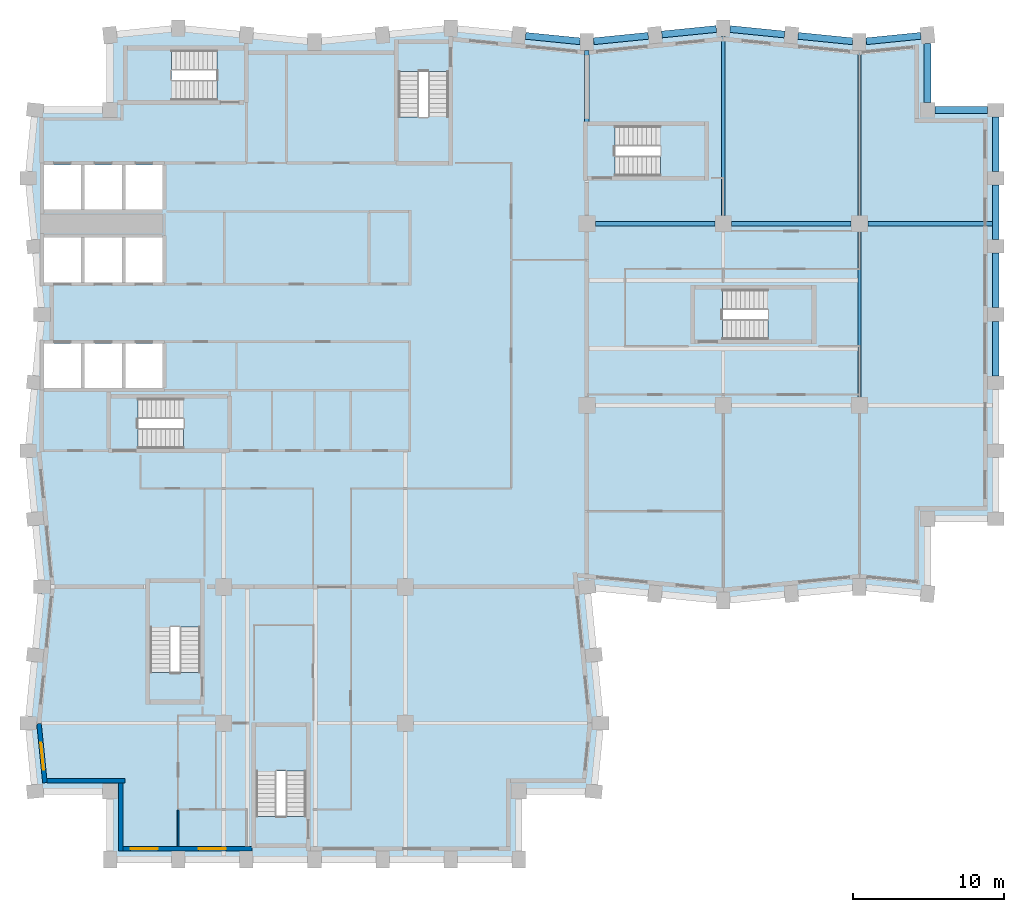
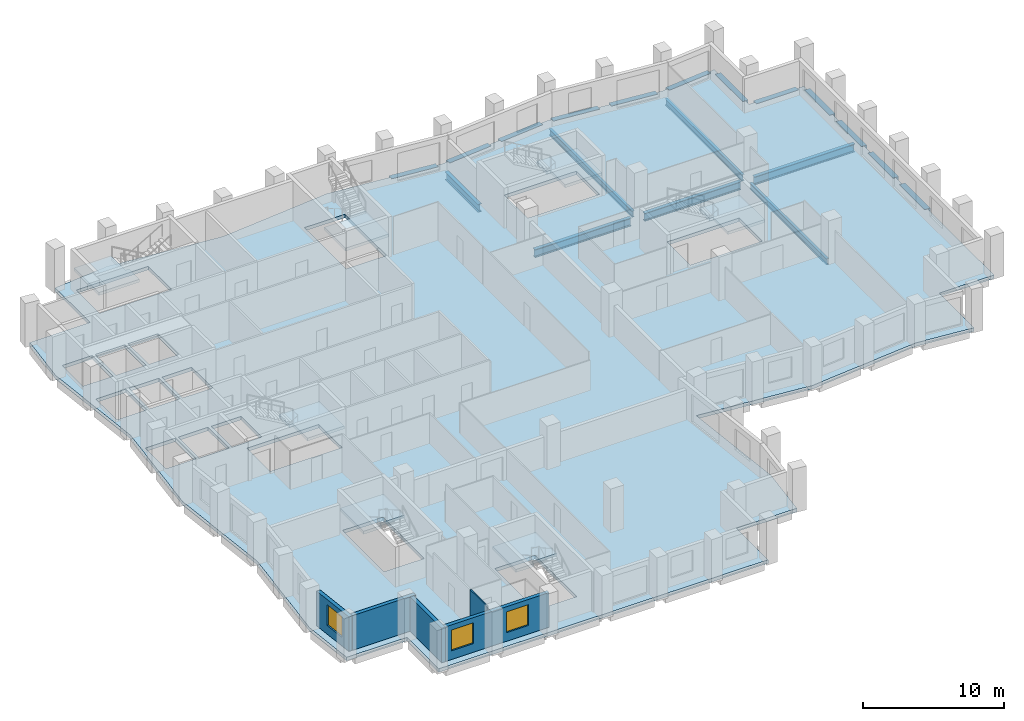
# One storey, part 2 of 10: 19 beams, 8 slabs, 5 walls, 3 windows, 3 openings, 7 elements without a shape of their own.
"""IFC4 building model written with IfcOpenShell, lengths in metres."""

from ifc_helpers import new_model, si_unit, direction, frame, frame_2d, origin, origin_2d, place, context, subcontext, project, spatial, polyline, rectangle, i_section, outline, extrude, material, layer, layer_set, material_profile, profile_set, type_object, element, fill, aggregate, save


model = new_model("IFC4")

# Units and contexts
model_context = context("Model", 3, precision=1e-05, world=origin(), true_north=direction((0.0, 1.0)))
body_context = subcontext(model_context, "Body", "Model", "MODEL_VIEW")
ifc_project = project(units=[si_unit("LENGTHUNIT", "METRE"), si_unit("AREAUNIT", "SQUARE_METRE"), si_unit("VOLUMEUNIT", "CUBIC_METRE"), si_unit("PLANEANGLEUNIT", "RADIAN"), si_unit("MASSUNIT", "GRAM", prefix="KILO")], contexts=[model_context])

# Site, building, storey
site_placement = place(None, origin())
site = spatial("IfcSite", under=ifc_project, at=site_placement, CompositionType="ELEMENT")
building_placement = place(site_placement, origin())
building = spatial("IfcBuilding", under=site, at=building_placement, Name="Brondeck Convention Tower", CompositionType="ELEMENT")
storey_placement = place(building_placement, frame((0.0, 0.0, 189.0)))
storey = spatial("IfcBuildingStorey", under=building, at=storey_placement, Name="L46", CompositionType="ELEMENT", Elevation=189.0)

# Beams
ifc_material_1 = material(Name="Steel S355", Category="steel")
ifc_material_profile_1 = material_profile(ifc_material_1, i_section(OverallWidth=0.2099609375, OverallDepth=0.550048828125, WebThickness=0.010986328125, FlangeThickness=0.01708984375, FilletRadius=0.02392578125, at=origin_2d()), Name="IPE 550")
ifc_profile_set_1 = profile_set([ifc_material_profile_1], Name="Steel S355")
beam_type_1 = type_object("IfcBeamType", Name="Floor beam IPE 550", PredefinedType="BEAM", material=ifc_profile_set_1)
beam_1_placement = place(storey_placement, frame((45.0, 51.550048828125, -0.574951171875), z_axis=(0.0, 1.0, 0.0), x_axis=(-1.0, 0.0, 0.0)))
element("IfcBeam", 1, at=beam_1_placement, inside=storey, type_object=beam_type_1, Name="STR-FB-L46-002", PredefinedType="BEAM", context=body_context, shape_type="SweptSolid", body=[
    extrude(i_section(OverallWidth=0.2099609375, OverallDepth=0.550048828125, WebThickness=0.010986328125, FlangeThickness=0.01708984375, FilletRadius=0.02392578125, at=origin_2d()), origin(), (0.0, 0.0, 1.0), 11.800048828125),
])
for number, where, z_axis, x_axis, name in (
    (2, (54.0, 39.550048828125, -0.574951171875), (0.0, 1.0, 0.0), (-1.0, 0.0, 0.0), "STR-FB-L46-004"),
    (3, (54.0, 51.550048828125, -0.574951171875), (0.0, 1.0, 0.0), (-1.0, 0.0, 0.0), "STR-FB-L46-005"),
):
    element("IfcBeam", number, at=place(storey_placement, frame(where, z_axis=z_axis, x_axis=x_axis)), inside=storey, type_object=beam_type_1, Name=name, PredefinedType="BEAM", context=body_context, shape_type="SweptSolid", body=[
        extrude(i_section(OverallWidth=0.2099609375, OverallDepth=0.550048828125, WebThickness=0.010986328125, FlangeThickness=0.01708984375, FilletRadius=0.02392578125, at=origin_2d()), origin(), (0.0, 0.0, 1.0), 10.89990234375),
    ])
ifc_material_profile_2 = material_profile(ifc_material_1, i_section(OverallWidth=0.300048828125, OverallDepth=0.699951171875, WebThickness=0.01708984375, FlangeThickness=0.031982421875, FilletRadius=0.027099609375, at=origin_2d()), Name="HEB 700")
ifc_profile_set_2 = profile_set([ifc_material_profile_2], Name="Steel S355")
beam_type_2 = type_object("IfcBeamType", Name="Girder HEB 700", PredefinedType="BEAM", material=ifc_profile_set_2)
for number, where, z_axis, x_axis, name in (
    (4, (36.550048828125, 51.0, -0.64990234375), (1.0, 0.0, 0.0), (0.0, 1.0, 0.0), "STR-GR-L46-004"),
    (5, (45.550048828125, 51.0, -0.64990234375), (1.0, 0.0, 0.0), (0.0, 1.0, 0.0), "STR-GR-L46-005"),
):
    element("IfcBeam", number, at=place(storey_placement, frame(where, z_axis=z_axis, x_axis=x_axis)), inside=storey, type_object=beam_type_2, Name=name, PredefinedType="BEAM", context=body_context, shape_type="SweptSolid", body=[
        extrude(i_section(OverallWidth=0.300048828125, OverallDepth=0.699951171875, WebThickness=0.01708984375, FlangeThickness=0.031982421875, FilletRadius=0.027099609375, at=origin_2d()), origin(), (0.0, 0.0, 1.0), 7.89990234375),
    ])
beam_2_placement = place(storey_placement, frame((54.550048828125, 51.0, -0.64990234375), z_axis=(1.0, 0.0, 0.0), x_axis=(0.0, 1.0, 0.0)))
element("IfcBeam", 6, at=beam_2_placement, inside=storey, type_object=beam_type_2, Name="STR-GR-L46-006", PredefinedType="BEAM", context=body_context, shape_type="SweptSolid", body=[
    extrude(i_section(OverallWidth=0.300048828125, OverallDepth=0.699951171875, WebThickness=0.01708984375, FlangeThickness=0.031982421875, FilletRadius=0.027099609375, at=origin_2d()), origin(), (0.0, 0.0, 1.0), 8.224853515625),
])
beam_3_placement = place(storey_placement, frame((36.0, 57.719970703125, -0.64990234375), z_axis=(0.0, 1.0, 0.0), x_axis=(-1.0, 0.0, 0.0)))
element("IfcBeam", 7, at=beam_3_placement, inside=storey, type_object=beam_type_2, Name="STR-GR-L46-010", PredefinedType="BEAM", context=body_context, shape_type="SweptSolid", body=[
    extrude(i_section(OverallWidth=0.300048828125, OverallDepth=0.699951171875, WebThickness=0.01708984375, FlangeThickness=0.031982421875, FilletRadius=0.027099609375, at=origin_2d()), origin(), (0.0, 0.0, 1.0), 4.72998046875),
])
ifc_material_2 = material(Name="Concrete C70/85", Category="concrete")
ifc_material_profile_3 = material_profile(ifc_material_2, rectangle(XDim=0.449951171875, YDim=0.64990234375, at=origin_2d()), Name="Precast spandrel 450x650 Concrete C70/85")
ifc_profile_set_3 = profile_set([ifc_material_profile_3], Name="Concrete C70/85")
beam_type_3 = type_object("IfcBeamType", Name="Precast spandrel 450x650 Concrete C70/85", PredefinedType="SPANDREL", material=ifc_profile_set_3)
for number, where, z_axis, x_axis, name in (
    (8, (63.0, 40.949951171875, -0.324951171875), (0.0, 1.0, 0.0), (-1.0, 0.0, 0.0), "STR-SP-L46-021"),
    (9, (63.0, 45.449951171875, -0.324951171875), (0.0, 1.0, 0.0), (-1.0, 0.0, 0.0), "STR-SP-L46-022"),
    (10, (63.0, 49.949951171875, -0.324951171875), (0.0, 1.0, 0.0), (-1.0, 0.0, 0.0), "STR-SP-L46-023"),
    (11, (63.0, 54.449951171875, -0.324951171875), (0.0, 1.0, 0.0), (-1.0, 0.0, 0.0), "STR-SP-L46-024"),
):
    element("IfcBeam", number, at=place(storey_placement, frame(where, z_axis=z_axis, x_axis=x_axis)), inside=storey, type_object=beam_type_3, Name=name, PredefinedType="SPANDREL", context=body_context, shape_type="SweptSolid", body=[
        extrude(rectangle(XDim=0.449951171875, YDim=0.64990234375, at=origin_2d()), origin(), (0.0, 0.0, 1.0), 3.60009765625),
    ])
beam_4_placement = place(storey_placement, frame((62.449951171875, 58.5, -0.324951171875), z_axis=(-1.0, 0.0, 0.0), x_axis=(0.0, -1.0, 0.0)))
element("IfcBeam", 12, at=beam_4_placement, inside=storey, type_object=beam_type_3, Name="STR-SP-L46-025", PredefinedType="SPANDREL", context=body_context, shape_type="SweptSolid", body=[
    extrude(rectangle(XDim=0.449951171875, YDim=0.64990234375, at=origin_2d()), origin(), (0.0, 0.0, 1.0), 3.449951171875),
])
beam_5_placement = place(storey_placement, frame((58.5, 59.0, -0.324951171875), z_axis=(0.0, 1.0, 0.0), x_axis=(-1.0, 0.0, 0.0)))
element("IfcBeam", 13, at=beam_5_placement, inside=storey, type_object=beam_type_3, Name="STR-SP-L46-026", PredefinedType="SPANDREL", context=body_context, shape_type="SweptSolid", body=[
    extrude(rectangle(XDim=0.449951171875, YDim=0.64990234375, at=origin_2d()), origin(), (0.0, 0.0, 1.0), 3.897216796875),
])
for number, where, z_axis, x_axis, name in (
    (14, (58.05224609375, 63.4052734375, -0.324951171875), (-0.995033851182, -0.099537103649, 0.0), (0.099537103649, -0.995033851182, 0.0), "STR-SP-L46-027"),
    (15, (53.550048828125, 63.044921875, -0.324951171875), (-0.995033851182, 0.099537103649, 0.0), (-0.099537103649, -0.995033851182, 0.0), "STR-SP-L46-028"),
    (16, (49.05224609375, 63.494873046875, -0.324951171875), (-0.995040528141, 0.099470334057, 0.0), (-0.099470334057, -0.995040528141, 0.0), "STR-SP-L46-029"),
    (17, (44.550048828125, 63.85498046875, -0.324951171875), (-0.995040528141, -0.099470334057, 0.0), (0.099470334057, -0.995040528141, 0.0), "STR-SP-L46-030"),
    (18, (40.05224609375, 63.4052734375, -0.324951171875), (-0.995033851182, -0.099537103649, 0.0), (0.099537103649, -0.995033851182, 0.0), "STR-SP-L46-031"),
    (19, (35.550048828125, 63.044921875, -0.324951171875), (-0.995033851182, 0.099537103649, 0.0), (-0.099537103649, -0.995033851182, 0.0), "STR-SP-L46-032"),
):
    element("IfcBeam", number, at=place(storey_placement, frame(where, z_axis=z_axis, x_axis=x_axis)), inside=storey, type_object=beam_type_3, Name=name, PredefinedType="SPANDREL", context=body_context, shape_type="SweptSolid", body=[
        extrude(rectangle(XDim=0.449951171875, YDim=0.64990234375, at=origin_2d()), origin(), (0.0, 0.0, 1.0), 3.620361328125),
    ])

# Slab
ifc_material_3 = material(Name="Concrete C35/45", Category="concrete")
ifc_layer_1 = layer(ifc_material_3, 0.300048828125)
ifc_layer_set_1 = layer_set([ifc_layer_1], Name="Composite floor slab 300")
slab_type_1 = type_object("IfcSlabType", Name="Composite floor slab 300", PredefinedType="FLOOR", material=ifc_layer_set_1)
slab_1_placement = place(storey_placement, frame((0.0, 0.0, -0.300048828125)))
element("IfcSlab", 20, at=slab_1_placement, inside=storey, type_object=slab_type_1, Name="STR-SL-L46", PredefinedType="FLOOR", context=body_context, shape_type="SweptSolid", body=[
    extrude(outline(polyline([(4.5, 13.5), (-0.449951171875, 13.5), (-0.89990234375, 18.0), (0.0, 27.0), (-0.89990234375, 36.0), (0.0, 45.0), (-0.89990234375, 54.0), (-0.449951171875, 58.5), (4.5, 58.5), (4.5, 63.449951171875), (9.0, 63.89990234375), (18.0, 63.0), (27.0, 63.89990234375), (36.0, 63.0), (45.0, 63.89990234375), (54.0, 63.0), (58.5, 63.449951171875), (58.5, 58.5), (63.0, 58.5), (63.0, 31.5), (58.5, 31.5), (58.5, 26.550048828125), (54.0, 27.0), (45.0, 26.10009765625), (36.0, 27.0), (36.89990234375, 18.0), (36.449951171875, 13.5), (31.5, 13.5), (31.5, 9.0), (4.5, 9.0), (4.5, 13.5)]), holes=[polyline([(2.574951171875, 40.125), (2.574951171875, 43.074951171875), (0.125, 43.074951171875), (0.125, 40.125), (2.574951171875, 40.125)]), polyline([(5.27490234375, 40.125), (5.27490234375, 43.074951171875), (2.824951171875, 43.074951171875), (2.824951171875, 40.125), (5.27490234375, 40.125)]), polyline([(7.97509765625, 40.125), (7.97509765625, 43.074951171875), (5.52490234375, 43.074951171875), (5.52490234375, 40.125), (7.97509765625, 40.125)]), polyline([(2.574951171875, 47.125), (2.574951171875, 50.074951171875), (0.125, 50.074951171875), (0.125, 47.125), (2.574951171875, 47.125)]), polyline([(5.27490234375, 47.125), (5.27490234375, 50.074951171875), (2.824951171875, 50.074951171875), (2.824951171875, 47.125), (5.27490234375, 47.125)]), polyline([(7.97509765625, 47.125), (7.97509765625, 50.074951171875), (5.52490234375, 50.074951171875), (5.52490234375, 47.125), (7.97509765625, 47.125)]), polyline([(2.574951171875, 51.925048828125), (2.574951171875, 54.875), (0.125, 54.875), (0.125, 51.925048828125), (2.574951171875, 51.925048828125)]), polyline([(5.27490234375, 51.925048828125), (5.27490234375, 54.875), (2.824951171875, 54.875), (2.824951171875, 51.925048828125), (5.27490234375, 51.925048828125)]), polyline([(17.447998046875, 17.748046875), (14.152099609375, 17.748046875), (14.152099609375, 11.85205078125), (17.447998046875, 11.85205078125), (17.447998046875, 17.748046875)]), polyline([(10.447998046875, 27.248046875), (7.152099609375, 27.248046875), (7.152099609375, 21.35205078125), (10.447998046875, 21.35205078125), (10.447998046875, 27.248046875)]), polyline([(12.248046875, 36.152099609375), (12.248046875, 39.447998046875), (6.35205078125, 39.447998046875), (6.35205078125, 36.152099609375), (12.248046875, 36.152099609375)]), polyline([(50.847900390625, 43.35205078125), (50.847900390625, 46.64794921875), (44.951904296875, 46.64794921875), (44.951904296875, 43.35205078125), (50.847900390625, 43.35205078125)]), polyline([(7.97509765625, 51.925048828125), (7.97509765625, 54.875), (5.52490234375, 54.875), (5.52490234375, 51.925048828125), (7.97509765625, 51.925048828125)]), polyline([(43.748046875, 54.152099609375), (43.748046875, 57.447998046875), (37.85205078125, 57.447998046875), (37.85205078125, 54.152099609375), (43.748046875, 54.152099609375)]), polyline([(23.552001953125, 55.152099609375), (26.847900390625, 55.152099609375), (26.847900390625, 61.048095703125), (23.552001953125, 61.048095703125), (23.552001953125, 55.152099609375)]), polyline([(5.652099609375, 62.447998046875), (5.652099609375, 59.152099609375), (11.548095703125, 59.152099609375), (11.548095703125, 62.447998046875), (5.652099609375, 62.447998046875)])]), origin(), (0.0, 0.0, 1.0), 0.300048828125),
])

# Stair, slab
ifc_material_4 = material(Name="Precast concrete C50/60", Category="concrete")
stair_type = type_object("IfcStairType", Name="Core stair 22 risers 172.73 mm riser 300 mm going 1350 wide", PredefinedType="HALF_TURN_STAIR", material=ifc_material_4)
stair_1_placement = place(storey_placement, origin())
stair_1 = element("IfcStair", 21, at=stair_1_placement, inside=storey, type_object=stair_type, Name="ST-1 L46 stair", PredefinedType="HALF_TURN_STAIR")
ifc_layer_2 = layer(ifc_material_4, 0.25)
ifc_layer_set_2 = layer_set([ifc_layer_2], Name="Core stair landing 250 Precast concrete C50/60")
slab_type_2 = type_object("IfcSlabType", Name="Core stair landing 250 Precast concrete C50/60", PredefinedType="LANDING", material=ifc_layer_set_2)
slab_2_placement = place(storey_placement, frame((0.0, 0.0, 1.64990234375)))
slab_2 = element("IfcSlab", 22, at=slab_2_placement, type_object=slab_type_2, Name="ST-1 landing 1", PredefinedType="LANDING", context=body_context, shape_type="SweptSolid", body=[
    extrude(outline(polyline([(9.347900390625, 37.5), (9.35009765625, 37.5), (9.35009765625, 38.10009765625), (9.050048828125, 38.10009765625), (9.050048828125, 39.570068359375), (12.3701171875, 39.570068359375), (12.3701171875, 36.030029296875), (9.347900390625, 36.030029296875), (9.347900390625, 37.5)])), origin(), (0.0, 0.0, 1.0), 0.25),
])
aggregate(stair_1, [slab_2])

stair_2_placement = place(storey_placement, origin())
stair_2 = element("IfcStair", 23, at=stair_2_placement, inside=storey, type_object=stair_type, Name="ST-2 L46 stair", PredefinedType="HALF_TURN_STAIR")
slab_3_placement = place(storey_placement, frame((0.0, 0.0, 1.64990234375)))
slab_3 = element("IfcSlab", 24, at=slab_3_placement, type_object=slab_type_2, Name="ST-2 landing 1", PredefinedType="LANDING", context=body_context, shape_type="SweptSolid", body=[
    extrude(outline(polyline([(23.429931640625, 58.052001953125), (24.89990234375, 58.052001953125), (24.89990234375, 58.050048828125), (25.5, 58.050048828125), (25.5, 58.35009765625), (26.969970703125, 58.35009765625), (26.969970703125, 55.030029296875), (23.429931640625, 55.030029296875), (23.429931640625, 58.052001953125)])), origin(), (0.0, 0.0, 1.0), 0.25),
])
aggregate(stair_2, [slab_3])

stair_3_placement = place(storey_placement, origin())
stair_3 = element("IfcStair", 25, at=stair_3_placement, inside=storey, type_object=stair_type, Name="ST-3 L46 stair", PredefinedType="HALF_TURN_STAIR")
slab_4_placement = place(storey_placement, frame((0.0, 0.0, 1.64990234375)))
slab_4 = element("IfcSlab", 26, at=slab_4_placement, type_object=slab_type_2, Name="ST-3 landing 1", PredefinedType="LANDING", context=body_context, shape_type="SweptSolid", body=[
    extrude(outline(polyline([(8.85009765625, 60.5), (8.85009765625, 59.030029296875), (5.530029296875, 59.030029296875), (5.530029296875, 62.570068359375), (8.552001953125, 62.570068359375), (8.552001953125, 61.10009765625), (8.550048828125, 61.10009765625), (8.550048828125, 60.5), (8.85009765625, 60.5)])), origin(), (0.0, 0.0, 1.0), 0.25),
])
aggregate(stair_3, [slab_4])

stair_4_placement = place(storey_placement, origin())
stair_4 = element("IfcStair", 27, at=stair_4_placement, inside=storey, type_object=stair_type, Name="ST-AE L46 stair", PredefinedType="HALF_TURN_STAIR")
slab_5_placement = place(storey_placement, frame((0.0, 0.0, 1.64990234375)))
slab_5 = element("IfcSlab", 28, at=slab_5_placement, type_object=slab_type_2, Name="ST-AE landing 1", PredefinedType="LANDING", context=body_context, shape_type="SweptSolid", body=[
    extrude(outline(polyline([(40.847900390625, 55.5), (40.85009765625, 55.5), (40.85009765625, 56.10009765625), (40.550048828125, 56.10009765625), (40.550048828125, 57.570068359375), (43.8701171875, 57.570068359375), (43.8701171875, 54.030029296875), (40.847900390625, 54.030029296875), (40.847900390625, 55.5)])), origin(), (0.0, 0.0, 1.0), 0.25),
])
aggregate(stair_4, [slab_5])

stair_5_placement = place(storey_placement, origin())
stair_5 = element("IfcStair", 29, at=stair_5_placement, inside=storey, type_object=stair_type, Name="ST-BE L46 stair", PredefinedType="HALF_TURN_STAIR")
slab_6_placement = place(storey_placement, frame((0.0, 0.0, 1.64990234375)))
slab_6 = element("IfcSlab", 30, at=slab_6_placement, type_object=slab_type_2, Name="ST-BE landing 1", PredefinedType="LANDING", context=body_context, shape_type="SweptSolid", body=[
    extrude(outline(polyline([(7.030029296875, 24.050048828125), (7.030029296875, 27.3701171875), (10.570068359375, 27.3701171875), (10.570068359375, 24.347900390625), (9.10009765625, 24.347900390625), (9.10009765625, 24.35009765625), (8.5, 24.35009765625), (8.5, 24.050048828125), (7.030029296875, 24.050048828125)])), origin(), (0.0, 0.0, 1.0), 0.25),
])
aggregate(stair_5, [slab_6])

stair_6_placement = place(storey_placement, origin())
stair_6 = element("IfcStair", 31, at=stair_6_placement, inside=storey, type_object=stair_type, Name="ST-AF L46 stair", PredefinedType="HALF_TURN_STAIR")
slab_7_placement = place(storey_placement, frame((0.0, 0.0, 1.64990234375)))
slab_7 = element("IfcSlab", 32, at=slab_7_placement, type_object=slab_type_2, Name="ST-AF landing 1", PredefinedType="LANDING", context=body_context, shape_type="SweptSolid", body=[
    extrude(outline(polyline([(47.947998046875, 44.699951171875), (47.949951171875, 44.699951171875), (47.949951171875, 45.300048828125), (47.64990234375, 45.300048828125), (47.64990234375, 46.77001953125), (50.969970703125, 46.77001953125), (50.969970703125, 43.22998046875), (47.947998046875, 43.22998046875), (47.947998046875, 44.699951171875)])), origin(), (0.0, 0.0, 1.0), 0.25),
])
aggregate(stair_6, [slab_7])

stair_7_placement = place(storey_placement, origin())
stair_7 = element("IfcStair", 33, at=stair_7_placement, inside=storey, type_object=stair_type, Name="ST-BF L46 stair", PredefinedType="HALF_TURN_STAIR")
slab_8_placement = place(storey_placement, frame((0.0, 0.0, 1.64990234375)))
slab_8 = element("IfcSlab", 34, at=slab_8_placement, type_object=slab_type_2, Name="ST-BF landing 1", PredefinedType="LANDING", context=body_context, shape_type="SweptSolid", body=[
    extrude(outline(polyline([(14.030029296875, 14.550048828125), (14.030029296875, 17.8701171875), (17.570068359375, 17.8701171875), (17.570068359375, 14.847900390625), (16.10009765625, 14.847900390625), (16.10009765625, 14.85009765625), (15.5, 14.85009765625), (15.5, 14.550048828125), (14.030029296875, 14.550048828125)])), origin(), (0.0, 0.0, 1.0), 0.25),
])
aggregate(stair_7, [slab_8])

# Wall, openings, windows
ifc_material_5 = material(Name="Precast concrete C50/60 bronze finish", Category="concrete")
ifc_layer_3 = layer(ifc_material_5, 0.070068359375, Name="Bronze precast facing")
ifc_material_6 = material(Name="Mineral wool")
ifc_layer_4 = layer(ifc_material_6, 0.159912109375, Name="Insulation")
ifc_layer_5 = layer(ifc_material_3, 0.070068359375, Name="Backing")
ifc_layer_set_3 = layer_set([ifc_layer_3, ifc_layer_4, ifc_layer_5], Name="External infill wall, precast concrete C50/60 bronze facing")
wall_type_1 = type_object("IfcWallType", Name="External infill wall, precast concrete C50/60 bronze facing", PredefinedType="SOLIDWALL", material=ifc_layer_set_3)
wall_1_placement = place(storey_placement, frame((13.860107421875, 9.699951171875, 0.0), z_axis=(0.0, 0.0, 1.0), x_axis=(-1.0, 0.0, 0.0)))
wall_1 = element("IfcWall", 35, at=wall_1_placement, inside=storey, type_object=wall_type_1, Name="ENV-EW-L46-P1-B-S9-01", PredefinedType="SOLIDWALL", context=body_context, shape_type="SweptSolid", body=[
    extrude(rectangle(XDim=8.510009765625, YDim=0.300048828125, at=frame_2d((4.2548828125, 0.0))), origin(), (0.0, 0.0, 1.0), 3.0),
])
opening_1_placement = place(wall_1_placement, frame((1.7099609375, 0.0, 0.75)))
opening_1 = element("IfcOpeningElement", 36, at=opening_1_placement, cuts=wall_1, Name="Opening W10", PredefinedType="OPENING", context=body_context, shape_type="SweptSolid", body=[
    extrude(rectangle(XDim=1.800048828125, YDim=1.800048828125, at=frame_2d((0.89990234375, 0.89990234375))), frame((0.0, 0.159912109375, 0.0), z_axis=(0.0, -1.0, 0.0), x_axis=(1.0, 0.0, 0.0)), (0.0, 0.0, 1.0), 0.320068359375),
])
opening_2_placement = place(wall_1_placement, frame((6.2099609375, 0.0, 0.75)))
opening_2 = element("IfcOpeningElement", 37, at=opening_2_placement, cuts=wall_1, Name="Opening W10", PredefinedType="OPENING", context=body_context, shape_type="SweptSolid", body=[
    extrude(rectangle(XDim=1.800048828125, YDim=1.800048828125, at=frame_2d((0.89990234375, 0.89990234375))), frame((0.0, 0.159912109375, 0.0), z_axis=(0.0, -1.0, 0.0), x_axis=(1.0, 0.0, 0.0)), (0.0, 0.0, 1.0), 0.320068359375),
])
ifc_material_7 = material(Name="Bronze tinted double glazing", Category="glass")
window_type = type_object("IfcWindowType", Name="Punched window, bronze tinted", PartitioningType="SINGLE_PANEL", PredefinedType="WINDOW", material=ifc_material_7)
window_1_placement = place(opening_1_placement, origin())
window_1 = element("IfcWindow", 38, at=window_1_placement, inside=storey, type_object=window_type, Name="ENV-WN-L46-P1-B-S9-02", OverallHeight=1.800048828125, OverallWidth=1.800048828125, PartitioningType="SINGLE_PANEL", PredefinedType="WINDOW", context=body_context, shape_type="SweptSolid", body=[
    extrude(rectangle(XDim=1.800048828125, YDim=1.800048828125, at=frame_2d((0.89990234375, 0.89990234375))), frame((0.0, 0.030029296875, 0.0), z_axis=(0.0, -1.0, 0.0), x_axis=(1.0, 0.0, 0.0)), (0.0, 0.0, 1.0), 0.06005859375),
])
fill(opening_1, window_1)
window_2_placement = place(opening_2_placement, origin())
window_2 = element("IfcWindow", 39, at=window_2_placement, inside=storey, type_object=window_type, Name="ENV-WN-L46-P1-B-S9-01", OverallHeight=1.800048828125, OverallWidth=1.800048828125, PartitioningType="SINGLE_PANEL", PredefinedType="WINDOW", context=body_context, shape_type="SweptSolid", body=[
    extrude(rectangle(XDim=1.800048828125, YDim=1.800048828125, at=frame_2d((0.89990234375, 0.89990234375))), frame((0.0, 0.030029296875, 0.0), z_axis=(0.0, -1.0, 0.0), x_axis=(1.0, 0.0, 0.0)), (0.0, 0.0, 1.0), 0.06005859375),
])
fill(opening_2, window_2)

# Wall, opening, window
wall_2_placement = place(storey_placement, frame((0.197021484375, 14.06494140625, 0.0), z_axis=(0.0, 0.0, 1.0), x_axis=(-0.099528354722, 0.995034726332, 0.0)))
wall_2 = element("IfcWall", 40, at=wall_2_placement, inside=storey, type_object=wall_type_1, Name="ENV-EW-L46-P1-B-W-10", PredefinedType="SOLIDWALL", context=body_context, shape_type="SweptSolid", body=[
    extrude(rectangle(XDim=3.9248046875, YDim=0.300048828125, at=frame_2d((1.96240234375, 0.0))), origin(), (0.0, 0.0, 1.0), 3.0),
])
opening_3_placement = place(wall_2_placement, frame((0.863525390625, 0.0, 0.75)))
opening_3 = element("IfcOpeningElement", 41, at=opening_3_placement, cuts=wall_2, Name="Opening W10", PredefinedType="OPENING", context=body_context, shape_type="SweptSolid", body=[
    extrude(rectangle(XDim=1.800048828125, YDim=1.800048828125, at=frame_2d((0.89990234375, 0.89990234375))), frame((0.0, 0.159912109375, 0.0), z_axis=(0.0, -1.0, 0.0), x_axis=(1.0, 0.0, 0.0)), (0.0, 0.0, 1.0), 0.320068359375),
])
window_3_placement = place(opening_3_placement, origin())
window_3 = element("IfcWindow", 42, at=window_3_placement, inside=storey, type_object=window_type, Name="ENV-WN-L46-P1-B-W-10", OverallHeight=1.800048828125, OverallWidth=1.800048828125, PartitioningType="SINGLE_PANEL", PredefinedType="WINDOW", context=body_context, shape_type="SweptSolid", body=[
    extrude(rectangle(XDim=1.800048828125, YDim=1.800048828125, at=frame_2d((0.89990234375, 0.89990234375))), frame((0.0, 0.030029296875, 0.0), z_axis=(0.0, -1.0, 0.0), x_axis=(1.0, 0.0, 0.0)), (0.0, 0.0, 1.0), 0.06005859375),
])
fill(opening_3, window_3)

# Walls
wall_3_placement = place(storey_placement, frame((5.5, 14.199951171875, 0.0), z_axis=(0.0, 0.0, 1.0), x_axis=(-1.0, 0.0, 0.0)))
element("IfcWall", 43, at=wall_3_placement, inside=storey, type_object=wall_type_1, Name="ENV-EW-L46-P1-NC-SWB9-01", PredefinedType="SOLIDWALL", context=body_context, shape_type="SweptSolid", body=[
    extrude(rectangle(XDim=5.16455078125, YDim=0.300048828125, at=frame_2d((2.582275390625, 0.0))), origin(), (0.0, 0.0, 1.0), 3.0),
])
wall_4_placement = place(storey_placement, frame((5.199951171875, 9.550048828125, 0.0), z_axis=(0.0, 0.0, 1.0), x_axis=(0.0, 1.0, 0.0)))
element("IfcWall", 44, at=wall_4_placement, inside=storey, type_object=wall_type_1, Name="ENV-EW-L46-P1-NC-SWB9-02", PredefinedType="SOLIDWALL", context=body_context, shape_type="SweptSolid", body=[
    extrude(rectangle(XDim=4.501953125, YDim=0.300048828125, at=frame_2d((2.2509765625, 0.0))), origin(), (0.0, 0.0, 1.0), 3.0),
])
ifc_material_8 = material(Name="Gypsum board partition on steel studs", Category="steel")
ifc_layer_6 = layer(ifc_material_8, 0.10009765625)
ifc_layer_set_4 = layer_set([ifc_layer_6], Name="Room partition 100")
wall_type_2 = type_object("IfcWallType", Name="Room partition 100", PredefinedType="PARTITIONING", material=ifc_layer_set_4)
wall_5_placement = place(storey_placement, frame((9.0, 9.8701171875, 0.0), z_axis=(0.0, 0.0, 1.0), x_axis=(0.0, 1.0, 0.0)))
element("IfcWall", 45, at=wall_5_placement, inside=storey, type_object=wall_type_2, Name="FLR-L46-W001", PredefinedType="PARTITIONING", context=body_context, shape_type="SweptSolid", body=[
    extrude(rectangle(XDim=2.3798828125, YDim=0.10009765625, at=frame_2d((1.18994140625, 0.0))), origin(), (0.0, 0.0, 1.0), 3.330078125),
])

save(model, "model.ifc")
